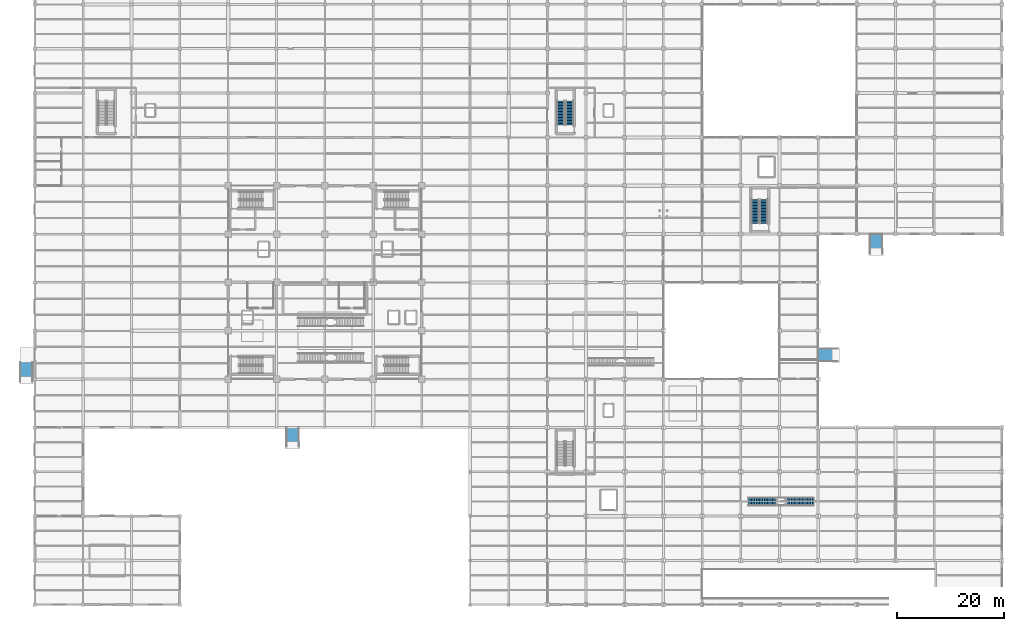
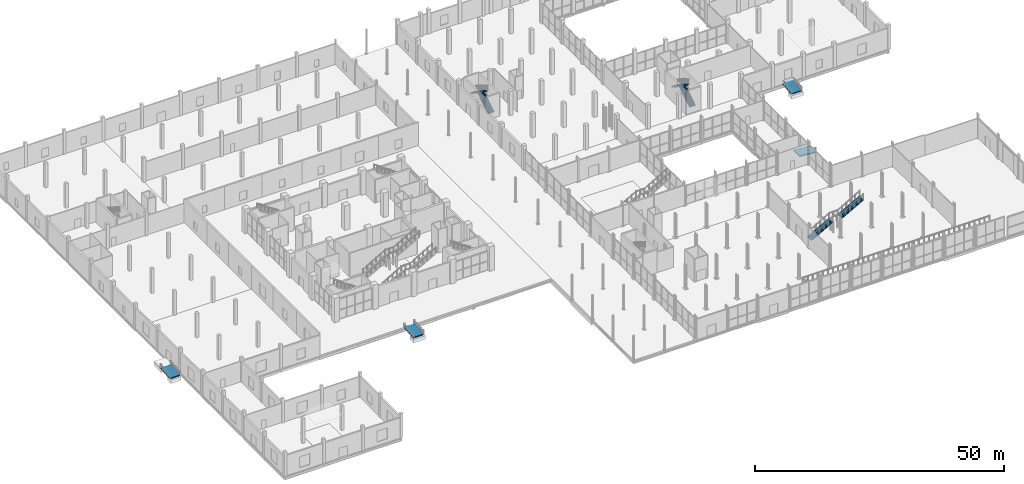
# One storey, part 134 of 144: 6 stair flights, 4 ramp flights, 7 elements without a shape of their own.
"""IFC4 building model written with IfcOpenShell, lengths in metres."""

from ifc_helpers import new_model, si_unit, direction, frame, origin, place, context, subcontext, project, spatial, polyline, outline, extrude, material, layer, layer_set, type_object, element, aggregate, save


model = new_model("IFC4")

# Units and contexts
model_context = context("Model", 3, precision=1e-05, world=origin(), true_north=direction((0.0, 1.0)))
body_context = subcontext(model_context, "Body", "Model", "MODEL_VIEW")
ifc_project = project(units=[si_unit("LENGTHUNIT", "METRE"), si_unit("AREAUNIT", "SQUARE_METRE"), si_unit("VOLUMEUNIT", "CUBIC_METRE"), si_unit("PLANEANGLEUNIT", "RADIAN"), si_unit("MASSUNIT", "GRAM", prefix="KILO")], contexts=[model_context])

# Site, building, storey
site_placement = place(None, origin())
site = spatial("IfcSite", under=ifc_project, at=site_placement, CompositionType="ELEMENT")
building_placement = place(site_placement, origin())
building = spatial("IfcBuilding", under=site, at=building_placement, Name="Sundgate Opera House", CompositionType="ELEMENT")
storey_placement = place(building_placement, origin())
storey = spatial("IfcBuildingStorey", under=building, at=storey_placement, Name="L00", CompositionType="ELEMENT", Elevation=0.0)

# Stair, stair flights
ifc_material_1 = material(Name="Concrete C35/45", Category="concrete")
stair_type_1 = type_object("IfcStairType", Name="ST-HT-34R-1450", PredefinedType="HALF_TURN_STAIR", material=ifc_material_1)
stair_1_placement = place(storey_placement, origin())
stair_1 = element("IfcStair", 1, at=stair_1_placement, inside=storey, type_object=stair_type_1, Name="L00 Escape Stair ST-05", PredefinedType="HALF_TURN_STAIR")
ifc_material_2 = material(Name="Concrete C35/45", Category="concrete")
stair_flight_type_1 = type_object("IfcStairFlightType", Name="SF-STR-17R-1450", PredefinedType="STRAIGHT", material=ifc_material_2)
stair_flight_1_placement = place(storey_placement, frame((99.52490234375, 89.300048828125, 0.0), z_axis=(0.0, 0.0, 1.0), x_axis=(0.0, 1.0, 0.0)))
stair_flight_1 = element("IfcStairFlight", 2, at=stair_flight_1_placement, type_object=stair_flight_type_1, Name="ST05L00 Flight 1", NumberOfRisers=17, NumberOfTreads=16, PredefinedType="STRAIGHT", RiserHeight=0.176470588, TreadLength=0.28, context=body_context, shape_type="SweptSolid", body=[
    extrude(outline(polyline([(0.0, 0.0), (0.0, 0.176513671875), (0.280029296875, 0.176513671875), (0.280029296875, 0.35302734375), (0.56005859375, 0.35302734375), (0.56005859375, 0.529296875), (0.840087890625, 0.529296875), (0.840087890625, 0.705810546875), (1.1201171875, 0.705810546875), (1.1201171875, 0.88232421875), (1.39990234375, 0.88232421875), (1.39990234375, 1.058837890625), (1.679931640625, 1.058837890625), (1.679931640625, 1.2353515625), (1.9599609375, 1.2353515625), (1.9599609375, 1.411865234375), (2.239990234375, 1.411865234375), (2.239990234375, 1.588134765625), (2.52001953125, 1.588134765625), (2.52001953125, 1.7646484375), (2.800048828125, 1.7646484375), (2.800048828125, 1.941162109375), (3.080078125, 1.941162109375), (3.080078125, 2.11767578125), (3.360107421875, 2.11767578125), (3.360107421875, 2.294189453125), (3.639892578125, 2.294189453125), (3.639892578125, 2.470703125), (3.919921875, 2.470703125), (3.919921875, 2.64697265625), (4.199951171875, 2.64697265625), (4.199951171875, 2.823486328125), (4.47998046875, 2.823486328125), (4.47998046875, 3.0), (4.47998046875, 2.646240234375), (0.28125, 0.0), (0.0, 0.0)])), frame((0.0, 0.72509765625, 0.0), z_axis=(0.0, -1.0, 0.0), x_axis=(1.0, 0.0, 0.0)), (0.0, 0.0, 1.0), 1.449951171875),
])
stair_flight_2_placement = place(storey_placement, frame((97.925048828125, 93.780029296875, 3.0), z_axis=(0.0, 0.0, 1.0), x_axis=(0.0, -1.0, 0.0)))
stair_flight_2 = element("IfcStairFlight", 3, at=stair_flight_2_placement, type_object=stair_flight_type_1, Name="ST05L00 Flight 2", NumberOfRisers=17, NumberOfTreads=16, PredefinedType="STRAIGHT", RiserHeight=0.176470588, TreadLength=0.28, context=body_context, shape_type="SweptSolid", body=[
    extrude(outline(polyline([(0.0, 0.0), (0.0, 0.176513671875), (0.280029296875, 0.176513671875), (0.280029296875, 0.35302734375), (0.56005859375, 0.35302734375), (0.56005859375, 0.529296875), (0.840087890625, 0.529296875), (0.840087890625, 0.705810546875), (1.1201171875, 0.705810546875), (1.1201171875, 0.88232421875), (1.39990234375, 0.88232421875), (1.39990234375, 1.058837890625), (1.679931640625, 1.058837890625), (1.679931640625, 1.2353515625), (1.9599609375, 1.2353515625), (1.9599609375, 1.411865234375), (2.239990234375, 1.411865234375), (2.239990234375, 1.588134765625), (2.52001953125, 1.588134765625), (2.52001953125, 1.7646484375), (2.800048828125, 1.7646484375), (2.800048828125, 1.941162109375), (3.080078125, 1.941162109375), (3.080078125, 2.11767578125), (3.360107421875, 2.11767578125), (3.360107421875, 2.294189453125), (3.639892578125, 2.294189453125), (3.639892578125, 2.470703125), (3.919921875, 2.470703125), (3.919921875, 2.64697265625), (4.199951171875, 2.64697265625), (4.199951171875, 2.823486328125), (4.47998046875, 2.823486328125), (4.47998046875, 3.0), (4.47998046875, 2.646240234375), (0.28125, 0.0), (0.0, 0.0)])), frame((0.0, 0.72509765625, 0.0), z_axis=(0.0, -1.0, 0.0), x_axis=(1.0, 0.0, 0.0)), (0.0, 0.0, 1.0), 1.449951171875),
])
aggregate(stair_1, [stair_flight_1, stair_flight_2])

stair_2_placement = place(storey_placement, origin())
stair_2 = element("IfcStair", 4, at=stair_2_placement, inside=storey, type_object=stair_type_1, Name="L00 Escape Stair ST-06", PredefinedType="HALF_TURN_STAIR")
stair_flight_3_placement = place(storey_placement, frame((135.72509765625, 71.0, 0.0), z_axis=(0.0, 0.0, 1.0), x_axis=(0.0, 1.0, 0.0)))
stair_flight_3 = element("IfcStairFlight", 5, at=stair_flight_3_placement, type_object=stair_flight_type_1, Name="ST06L00 Flight 1", NumberOfRisers=17, NumberOfTreads=16, PredefinedType="STRAIGHT", RiserHeight=0.176470588, TreadLength=0.28, context=body_context, shape_type="SweptSolid", body=[
    extrude(outline(polyline([(0.0, 0.0), (0.0, 0.176513671875), (0.280029296875, 0.176513671875), (0.280029296875, 0.35302734375), (0.56005859375, 0.35302734375), (0.56005859375, 0.529296875), (0.840087890625, 0.529296875), (0.840087890625, 0.705810546875), (1.1201171875, 0.705810546875), (1.1201171875, 0.88232421875), (1.39990234375, 0.88232421875), (1.39990234375, 1.058837890625), (1.679931640625, 1.058837890625), (1.679931640625, 1.2353515625), (1.9599609375, 1.2353515625), (1.9599609375, 1.411865234375), (2.239990234375, 1.411865234375), (2.239990234375, 1.588134765625), (2.52001953125, 1.588134765625), (2.52001953125, 1.7646484375), (2.800048828125, 1.7646484375), (2.800048828125, 1.941162109375), (3.080078125, 1.941162109375), (3.080078125, 2.11767578125), (3.360107421875, 2.11767578125), (3.360107421875, 2.294189453125), (3.639892578125, 2.294189453125), (3.639892578125, 2.470703125), (3.919921875, 2.470703125), (3.919921875, 2.64697265625), (4.199951171875, 2.64697265625), (4.199951171875, 2.823486328125), (4.47998046875, 2.823486328125), (4.47998046875, 3.0), (4.47998046875, 2.646240234375), (0.28125, 0.0), (0.0, 0.0)])), frame((0.0, 0.72509765625, 0.0), z_axis=(0.0, -1.0, 0.0), x_axis=(1.0, 0.0, 0.0)), (0.0, 0.0, 1.0), 1.449951171875),
])
stair_flight_4_placement = place(storey_placement, frame((134.125, 75.47998046875, 3.0), z_axis=(0.0, 0.0, 1.0), x_axis=(0.0, -1.0, 0.0)))
stair_flight_4 = element("IfcStairFlight", 6, at=stair_flight_4_placement, type_object=stair_flight_type_1, Name="ST06L00 Flight 2", NumberOfRisers=17, NumberOfTreads=16, PredefinedType="STRAIGHT", RiserHeight=0.176470588, TreadLength=0.28, context=body_context, shape_type="SweptSolid", body=[
    extrude(outline(polyline([(0.0, 0.0), (0.0, 0.176513671875), (0.280029296875, 0.176513671875), (0.280029296875, 0.35302734375), (0.56005859375, 0.35302734375), (0.56005859375, 0.529296875), (0.840087890625, 0.529296875), (0.840087890625, 0.705810546875), (1.1201171875, 0.705810546875), (1.1201171875, 0.88232421875), (1.39990234375, 0.88232421875), (1.39990234375, 1.058837890625), (1.679931640625, 1.058837890625), (1.679931640625, 1.2353515625), (1.9599609375, 1.2353515625), (1.9599609375, 1.411865234375), (2.239990234375, 1.411865234375), (2.239990234375, 1.588134765625), (2.52001953125, 1.588134765625), (2.52001953125, 1.7646484375), (2.800048828125, 1.7646484375), (2.800048828125, 1.941162109375), (3.080078125, 1.941162109375), (3.080078125, 2.11767578125), (3.360107421875, 2.11767578125), (3.360107421875, 2.294189453125), (3.639892578125, 2.294189453125), (3.639892578125, 2.470703125), (3.919921875, 2.470703125), (3.919921875, 2.64697265625), (4.199951171875, 2.64697265625), (4.199951171875, 2.823486328125), (4.47998046875, 2.823486328125), (4.47998046875, 3.0), (4.47998046875, 2.646240234375), (0.28125, 0.0), (0.0, 0.0)])), frame((0.0, 0.72509765625, 0.0), z_axis=(0.0, -1.0, 0.0), x_axis=(1.0, 0.0, 0.0)), (0.0, 0.0, 1.0), 1.449951171875),
])
aggregate(stair_2, [stair_flight_3, stair_flight_4])

ifc_material_3 = material(Name="Concrete C35/45", Category="concrete")
stair_type_2 = type_object("IfcStairType", Name="ST-SR-36R-1500", PredefinedType="STRAIGHT_RUN_STAIR", material=ifc_material_3)
stair_3_placement = place(storey_placement, origin())
stair_3 = element("IfcStair", 7, at=stair_3_placement, inside=storey, type_object=stair_type_2, Name="Paint-Frame Scenic Gallery Straight Stair", PredefinedType="STRAIGHT_RUN_STAIR")
ifc_material_4 = material(Name="Concrete C35/45", Category="concrete")
stair_flight_type_2 = type_object("IfcStairFlightType", Name="SF-STR-18R-1500", PredefinedType="STRAIGHT", material=ifc_material_4)
stair_flight_5_placement = place(storey_placement, frame((132.7900390625, 19.199951171875, 0.0), z_axis=(0.0, 0.0, 1.0), x_axis=(1.0, 0.0, 0.0)))
stair_flight_5 = element("IfcStairFlight", 8, at=stair_flight_5_placement, type_object=stair_flight_type_2, Name="Paint-Frame Scenic Gallery Straight Stair Flight 1", NumberOfRisers=18, NumberOfTreads=17, PredefinedType="STRAIGHT", RiserHeight=0.166666667, TreadLength=0.3, context=body_context, shape_type="SweptSolid", body=[
    extrude(outline(polyline([(0.0, 0.0), (0.0, 0.166748046875), (0.300048828125, 0.166748046875), (0.300048828125, 0.333251953125), (0.60009765625, 0.333251953125), (0.60009765625, 0.5), (0.89990234375, 0.5), (0.89990234375, 0.666748046875), (1.199951171875, 0.666748046875), (1.199951171875, 0.833251953125), (1.5, 0.833251953125), (1.5, 1.0), (1.800048828125, 1.0), (1.800048828125, 1.166748046875), (2.10009765625, 1.166748046875), (2.10009765625, 1.333251953125), (2.39990234375, 1.333251953125), (2.39990234375, 1.5), (2.699951171875, 1.5), (2.699951171875, 1.666748046875), (3.0, 1.666748046875), (3.0, 1.833251953125), (3.300048828125, 1.833251953125), (3.300048828125, 2.0), (3.60009765625, 2.0), (3.60009765625, 2.166748046875), (3.89990234375, 2.166748046875), (3.89990234375, 2.333251953125), (4.199951171875, 2.333251953125), (4.199951171875, 2.5), (4.5, 2.5), (4.5, 2.666748046875), (4.800048828125, 2.666748046875), (4.800048828125, 2.833251953125), (5.10009765625, 2.833251953125), (5.10009765625, 3.0), (5.10009765625, 2.62744140625), (0.37060546875, 0.0), (0.0, 0.0)])), frame((0.0, 0.75, 0.0), z_axis=(0.0, -1.0, 0.0), x_axis=(1.0, 0.0, 0.0)), (0.0, 0.0, 1.0), 1.5),
])
stair_flight_6_placement = place(storey_placement, frame((139.907958984375, 19.199951171875, 3.0), z_axis=(0.0, 0.0, 1.0), x_axis=(1.0, 0.0, 0.0)))
stair_flight_6 = element("IfcStairFlight", 9, at=stair_flight_6_placement, type_object=stair_flight_type_2, Name="Paint-Frame Scenic Gallery Straight Stair Flight 2", NumberOfRisers=18, NumberOfTreads=17, PredefinedType="STRAIGHT", RiserHeight=0.166666667, TreadLength=0.3, context=body_context, shape_type="SweptSolid", body=[
    extrude(outline(polyline([(0.0, 0.0), (0.0, 0.166748046875), (0.300048828125, 0.166748046875), (0.300048828125, 0.333251953125), (0.60009765625, 0.333251953125), (0.60009765625, 0.5), (0.89990234375, 0.5), (0.89990234375, 0.666748046875), (1.199951171875, 0.666748046875), (1.199951171875, 0.833251953125), (1.5, 0.833251953125), (1.5, 1.0), (1.800048828125, 1.0), (1.800048828125, 1.166748046875), (2.10009765625, 1.166748046875), (2.10009765625, 1.333251953125), (2.39990234375, 1.333251953125), (2.39990234375, 1.5), (2.699951171875, 1.5), (2.699951171875, 1.666748046875), (3.0, 1.666748046875), (3.0, 1.833251953125), (3.300048828125, 1.833251953125), (3.300048828125, 2.0), (3.60009765625, 2.0), (3.60009765625, 2.166748046875), (3.89990234375, 2.166748046875), (3.89990234375, 2.333251953125), (4.199951171875, 2.333251953125), (4.199951171875, 2.5), (4.5, 2.5), (4.5, 2.666748046875), (4.800048828125, 2.666748046875), (4.800048828125, 2.833251953125), (5.10009765625, 2.833251953125), (5.10009765625, 3.0), (5.10009765625, 2.62744140625), (0.37060546875, 0.0), (0.0, 0.0)])), frame((0.0, 0.75, 0.0), z_axis=(0.0, -1.0, 0.0), x_axis=(1.0, 0.0, 0.0)), (0.0, 0.0, 1.0), 1.5),
])
aggregate(stair_3, [stair_flight_5, stair_flight_6])

# Ramp, ramp flight
ifc_material_5 = material(Name="Concrete C35/45", Category="concrete")
ifc_layer_1 = layer(ifc_material_5, 0.25)
ifc_layer_set_1 = layer_set([ifc_layer_1], Name="Concrete C35/45")
ramp_type = type_object("IfcRampType", Name="RP-PED-2400", PredefinedType="STRAIGHT_RUN_RAMP", material=ifc_layer_set_1)
ramp_1_placement = place(storey_placement, origin())
ramp_1 = element("IfcRamp", 10, at=ramp_1_placement, inside=storey, type_object=ramp_type, Name="South Forecourt Accessible Entrance Ramp", PredefinedType="STRAIGHT_RUN_RAMP")
ifc_material_6 = material(Name="Concrete C35/45", Category="concrete")
ifc_layer_2 = layer(ifc_material_6, 0.25)
ifc_layer_set_2 = layer_set([ifc_layer_2], Name="Concrete C35/45")
ramp_flight_type = type_object("IfcRampFlightType", Name="RPF-PED-250", PredefinedType="STRAIGHT", material=ifc_layer_set_2)
ramp_flight_1_placement = place(storey_placement, frame((48.0, 29.39501953125, -0.300048828125), z_axis=(0.0, 0.0, 1.0), x_axis=(0.0, 1.0, 0.0)))
ramp_flight_1 = element("IfcRampFlight", 11, at=ramp_flight_1_placement, type_object=ramp_flight_type, Name="South Forecourt Accessible Entrance Ramp Flight", PredefinedType="STRAIGHT", context=body_context, shape_type="SweptSolid", body=[
    extrude(outline(polyline([(0.0, 0.0), (0.0, -0.25), (3.719970703125, 0.050048828125), (3.719970703125, 0.300048828125), (0.0, 0.0)])), frame((0.0, 1.199951171875, 0.0), z_axis=(0.0, -1.0, 0.0), x_axis=(1.0, 0.0, 0.0)), (0.0, 0.0, 1.0), 2.39990234375),
])
aggregate(ramp_1, [ramp_flight_1])

ramp_2_placement = place(storey_placement, origin())
ramp_2 = element("IfcRamp", 12, at=ramp_2_placement, inside=storey, type_object=ramp_type, Name="Conservatory South Quay Accessible Ramp", PredefinedType="STRAIGHT_RUN_RAMP")
ramp_flight_2_placement = place(storey_placement, frame((156.60009765625, 65.39501953125, -0.300048828125), z_axis=(0.0, 0.0, 1.0), x_axis=(0.0, 1.0, 0.0)))
ramp_flight_2 = element("IfcRampFlight", 13, at=ramp_flight_2_placement, type_object=ramp_flight_type, Name="Conservatory South Quay Accessible Ramp Flight", PredefinedType="STRAIGHT", context=body_context, shape_type="SweptSolid", body=[
    extrude(outline(polyline([(0.0, 0.0), (0.0, -0.25), (3.719970703125, 0.050048828125), (3.719970703125, 0.300048828125), (0.0, 0.0)])), frame((0.0, 1.199951171875, 0.0), z_axis=(0.0, -1.0, 0.0), x_axis=(1.0, 0.0, 0.0)), (0.0, 0.0, 1.0), 2.39990234375),
])
aggregate(ramp_2, [ramp_flight_2])

ramp_3_placement = place(storey_placement, origin())
ramp_3 = element("IfcRamp", 14, at=ramp_3_placement, inside=storey, type_object=ramp_type, Name="West Harbour Quay Accessible Ramp", PredefinedType="STRAIGHT_RUN_RAMP")
ramp_flight_3_placement = place(storey_placement, frame((-1.550048828125, 41.4951171875, -0.300048828125), z_axis=(0.0, 0.0, 1.0), x_axis=(0.0, 1.0, 0.0)))
ramp_flight_3 = element("IfcRampFlight", 15, at=ramp_flight_3_placement, type_object=ramp_flight_type, Name="West Harbour Quay Accessible Ramp Flight", PredefinedType="STRAIGHT", context=body_context, shape_type="SweptSolid", body=[
    extrude(outline(polyline([(0.0, 0.0), (0.0, -0.25), (3.719970703125, 0.050048828125), (3.719970703125, 0.300048828125), (0.0, 0.0)])), frame((0.0, 1.199951171875, 0.0), z_axis=(0.0, -1.0, 0.0), x_axis=(1.0, 0.0, 0.0)), (0.0, 0.0, 1.0), 2.39990234375),
])
aggregate(ramp_3, [ramp_flight_3])

ramp_4_placement = place(storey_placement, origin())
ramp_4 = element("IfcRamp", 16, at=ramp_4_placement, inside=storey, type_object=ramp_type, Name="East Quay Studio Accessible Entrance Ramp", PredefinedType="STRAIGHT_RUN_RAMP")
ramp_flight_4_placement = place(storey_placement, frame((149.405029296875, 46.5, -0.300048828125), z_axis=(0.0, 0.0, 1.0), x_axis=(-1.0, 0.0, 0.0)))
ramp_flight_4 = element("IfcRampFlight", 17, at=ramp_flight_4_placement, type_object=ramp_flight_type, Name="East Quay Studio Accessible Entrance Ramp Flight", PredefinedType="STRAIGHT", context=body_context, shape_type="SweptSolid", body=[
    extrude(outline(polyline([(0.0, 0.0), (0.0, -0.25), (3.719970703125, 0.050048828125), (3.719970703125, 0.300048828125), (0.0, 0.0)])), frame((0.0, 1.199951171875, 0.0), z_axis=(0.0, -1.0, 0.0), x_axis=(1.0, 0.0, 0.0)), (0.0, 0.0, 1.0), 2.39990234375),
])
aggregate(ramp_4, [ramp_flight_4])

save(model, "model.ifc")
